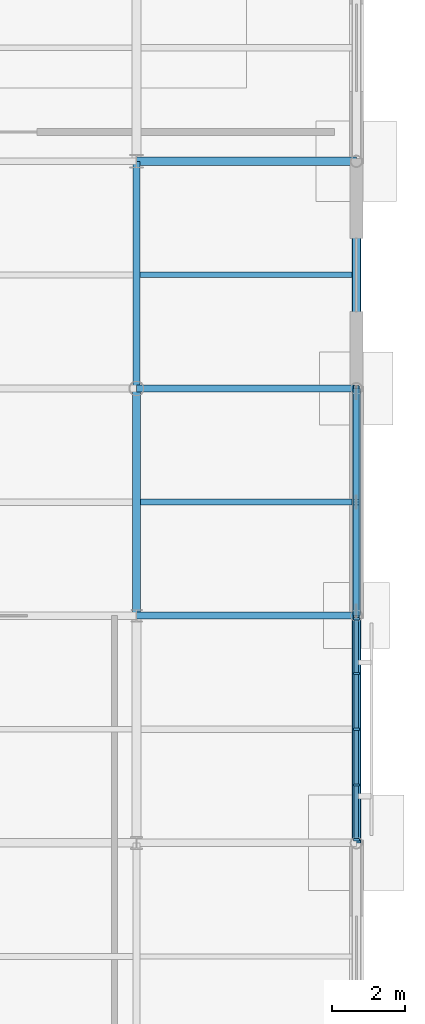
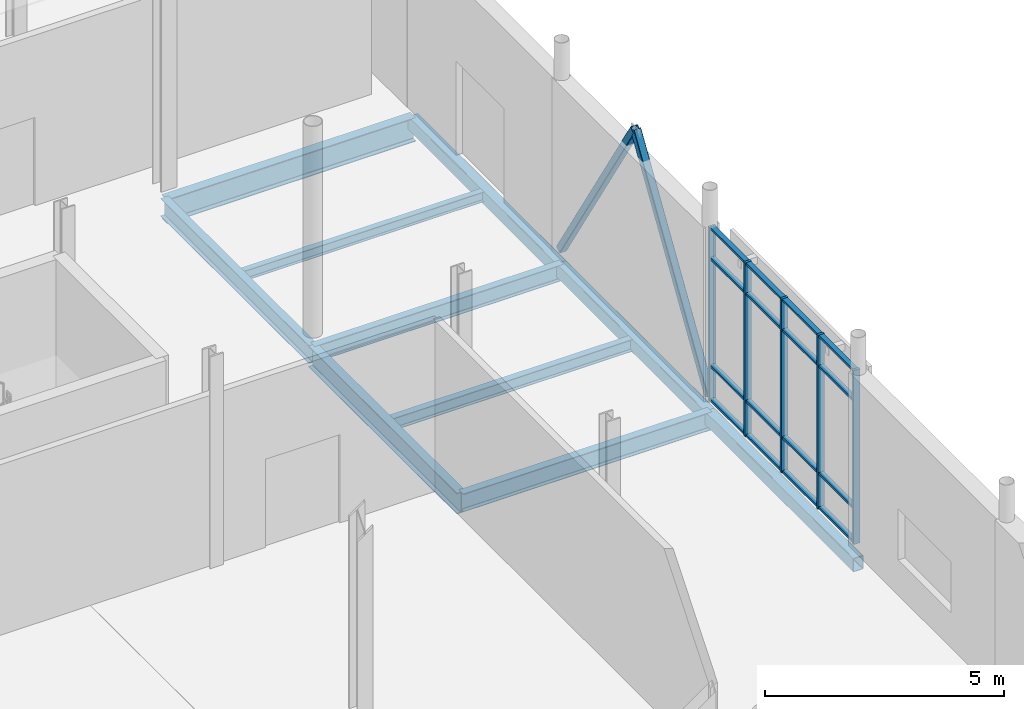
# One storey, part 53 of 98: 23 members, 10 beams, 1 element without a shape of its own.
"""IFC4 building model written with IfcOpenShell, lengths in metres."""

from ifc_helpers import new_model, si_unit, direction, frame, origin, origin_2d, place, context, subcontext, project, spatial, rectangle, hollow_rectangle, i_section, extrude, material, layer, layer_set, material_profile, profile_set, type_object, element, aggregate, save


model = new_model("IFC4")

# Units and contexts
model_context = context("Model", 3, precision=1e-05, world=origin(), true_north=direction((0.0, 1.0)))
body_context = subcontext(model_context, "Body", "Model", "MODEL_VIEW")
ifc_project = project(units=[si_unit("LENGTHUNIT", "METRE"), si_unit("AREAUNIT", "SQUARE_METRE"), si_unit("VOLUMEUNIT", "CUBIC_METRE"), si_unit("PLANEANGLEUNIT", "RADIAN"), si_unit("MASSUNIT", "GRAM", prefix="KILO")], contexts=[model_context])

# Site, building, storey
site_placement = place(None, origin())
site = spatial("IfcSite", under=ifc_project, at=site_placement, CompositionType="ELEMENT")
building_placement = place(site_placement, origin())
building = spatial("IfcBuilding", under=site, at=building_placement, Name="Mirzam Square Science Centre", CompositionType="ELEMENT")
storey_placement = place(building_placement, origin())
storey = spatial("IfcBuildingStorey", under=building, at=storey_placement, Name="L00", CompositionType="ELEMENT", Elevation=0.0)

# Beams
ifc_material_1 = material(Name="Steel S355", Category="steel")
ifc_material_profile_1 = material_profile(ifc_material_1, i_section(OverallWidth=0.1787109375, OverallDepth=0.409423828125, WebThickness=0.0087890625, FlangeThickness=0.014404296875, FilletRadius=0.01025390625, at=origin_2d()), Name="406x178x67UB")
ifc_profile_set_1 = profile_set([ifc_material_profile_1], Name="Steel S355")
beam_type_1 = type_object("IfcBeamType", Name="BM-UB406", PredefinedType="BEAM", material=ifc_profile_set_1)
beam_1_placement = place(storey_placement, frame((156.0, 55.800048828125, -0.504638671875), z_axis=(1.0, 0.0, 0.0), x_axis=(0.0, 1.0, 0.0)))
element("IfcBeam", 1, at=beam_1_placement, inside=storey, type_object=beam_type_1, Name="L00 girder X27-10", PredefinedType="BEAM", context=body_context, shape_type="SweptSolid", body=[
    extrude(i_section(OverallWidth=0.1787109375, OverallDepth=0.409423828125, WebThickness=0.0087890625, FlangeThickness=0.014404296875, FilletRadius=0.01025390625, at=origin_2d()), origin(), (0.0, 0.0, 1.0), 6.0),
])
ifc_material_profile_2 = material_profile(ifc_material_1, i_section(OverallWidth=0.19140625, OverallDepth=0.4599609375, WebThickness=0.010009765625, FlangeThickness=0.01611328125, FilletRadius=0.01025390625, at=origin_2d()), Name="457x191x82UB")
ifc_profile_set_2 = profile_set([ifc_material_profile_2], Name="Steel S355")
beam_type_2 = type_object("IfcBeamType", Name="BM-UB457", PredefinedType="BEAM", material=ifc_profile_set_2)
beam_2_placement = place(storey_placement, frame((156.0, 49.60009765625, -0.530029296875), z_axis=(1.0, 0.0, 0.0), x_axis=(0.0, 1.0, 0.0)))
element("IfcBeam", 2, at=beam_2_placement, inside=storey, type_object=beam_type_2, Name="L00 girder X27-9", PredefinedType="BEAM", context=body_context, shape_type="SweptSolid", body=[
    extrude(i_section(OverallWidth=0.19140625, OverallDepth=0.4599609375, WebThickness=0.010009765625, FlangeThickness=0.01611328125, FilletRadius=0.01025390625, at=origin_2d()), origin(), (0.0, 0.0, 1.0), 6.0),
])
beam_3_placement = place(storey_placement, frame((156.0, 55.800048828125, -0.530029296875), z_axis=(0.0, 1.0, 0.0), x_axis=(-1.0, 0.0, 0.0)))
element("IfcBeam", 3, at=beam_3_placement, inside=storey, type_object=beam_type_2, Name="L00 girder Y27-10", PredefinedType="BEAM", context=body_context, shape_type="SweptSolid", body=[
    extrude(i_section(OverallWidth=0.19140625, OverallDepth=0.4599609375, WebThickness=0.010009765625, FlangeThickness=0.01611328125, FilletRadius=0.01025390625, at=origin_2d()), origin(), (0.0, 0.0, 1.0), 6.199951171875),
])
ifc_material_profile_3 = material_profile(ifc_material_1, i_section(OverallWidth=0.2099609375, OverallDepth=0.53662109375, WebThickness=0.0107421875, FlangeThickness=0.017333984375, FilletRadius=0.0126953125, at=origin_2d()), Name="533x210x101UB")
ifc_profile_set_3 = profile_set([ifc_material_profile_3], Name="Steel S355")
beam_type_3 = type_object("IfcBeamType", Name="BM-UB533", PredefinedType="BEAM", material=ifc_profile_set_3)
beam_4_placement = place(storey_placement, frame((156.0, 49.60009765625, -0.568359375), z_axis=(0.0, 1.0, 0.0), x_axis=(-1.0, 0.0, 0.0)))
element("IfcBeam", 4, at=beam_4_placement, inside=storey, type_object=beam_type_3, Name="L00 girder Y27-9", PredefinedType="BEAM", context=body_context, shape_type="SweptSolid", body=[
    extrude(i_section(OverallWidth=0.2099609375, OverallDepth=0.53662109375, WebThickness=0.0107421875, FlangeThickness=0.017333984375, FilletRadius=0.0126953125, at=origin_2d()), origin(), (0.0, 0.0, 1.0), 6.199951171875),
])
ifc_material_profile_4 = material_profile(ifc_material_1, i_section(OverallWidth=0.22900390625, OverallDepth=0.6123046875, WebThickness=0.011962890625, FlangeThickness=0.01953125, FilletRadius=0.0126953125, at=origin_2d()), Name="610x229x125UB")
ifc_profile_set_4 = profile_set([ifc_material_profile_4], Name="Steel S355")
beam_type_4 = type_object("IfcBeamType", Name="BM-UB610", PredefinedType="BEAM", material=ifc_profile_set_4)
beam_5_placement = place(storey_placement, frame((156.0, 62.0, -0.606201171875), z_axis=(1.0, 0.0, 0.0), x_axis=(0.0, 1.0, 0.0)))
element("IfcBeam", 5, at=beam_5_placement, inside=storey, type_object=beam_type_4, Name="L00 girder X27-11", PredefinedType="BEAM", context=body_context, shape_type="SweptSolid", body=[
    extrude(i_section(OverallWidth=0.22900390625, OverallDepth=0.6123046875, WebThickness=0.011962890625, FlangeThickness=0.01953125, FilletRadius=0.0126953125, at=origin_2d()), origin(), (0.0, 0.0, 1.0), 6.0),
])

# Members
ifc_material_profile_5 = material_profile(ifc_material_1, hollow_rectangle(XDim=0.179931640625, YDim=0.179931640625, WallThickness=0.010009765625, InnerFilletRadius=0.010009765625, OuterFilletRadius=0.02001953125, at=origin_2d()), Name="180x180x10.0SHS")
ifc_profile_set_5 = profile_set([ifc_material_profile_5], Name="Steel S355")
member_type_1 = type_object("IfcMemberType", Name="BR-SHS180", PredefinedType="BRACE", material=ifc_profile_set_5)
member_1_placement = place(storey_placement, frame((162.0, 49.60009765625, 0.050048828125), z_axis=(0.0, 0.532677513074, 0.846318301271), x_axis=(-1.0, 0.0, 0.0)))
element("IfcMember", 6, at=member_1_placement, inside=storey, type_object=member_type_1, Name="L00 chevron brace 4A", PredefinedType="BRACE", context=body_context, shape_type="SweptSolid", body=[
    extrude(hollow_rectangle(XDim=0.179931640625, YDim=0.179931640625, WallThickness=0.010009765625, InnerFilletRadius=0.010009765625, OuterFilletRadius=0.02001953125, at=origin_2d()), origin(), (0.0, 0.0, 1.0), 5.8193359375),
])
member_2_placement = place(storey_placement, frame((162.0, 55.800048828125, 0.050048828125), z_axis=(0.0, -0.532707561114, 0.84629938812), x_axis=(1.0, 0.0, 0.0)))
element("IfcMember", 7, at=member_2_placement, inside=storey, type_object=member_type_1, Name="L00 chevron brace 4B", PredefinedType="BRACE", context=body_context, shape_type="SweptSolid", body=[
    extrude(hollow_rectangle(XDim=0.179931640625, YDim=0.179931640625, WallThickness=0.010009765625, InnerFilletRadius=0.010009765625, OuterFilletRadius=0.02001953125, at=origin_2d()), origin(), (0.0, 0.0, 1.0), 5.819580078125),
])

# Curtain wall, members
ifc_material_2 = material(Name="Anodised Aluminium and Low-E Solar Glass", Category="aluminium")
ifc_layer = layer(ifc_material_2, 0.159912109375)
ifc_layer_set = layer_set([ifc_layer], Name="CW-COURT-B")
curtain_wall_type = type_object("IfcCurtainWallType", Name="CW-COURT-B", PredefinedType="USERDEFINED", material=ifc_layer_set)
curtain_wall_placement = place(storey_placement, origin())
curtain_wall = element("IfcCurtainWall", 8, at=curtain_wall_placement, inside=storey, type_object=curtain_wall_type, Name="L00 unitised curtain wall 67", ObjectType="UNITISED CURTAIN WALL", PredefinedType="USERDEFINED")
ifc_material_3 = material(Name="Anodised Architectural Aluminium 6063-T6", Category="aluminium")
ifc_material_profile_6 = material_profile(ifc_material_3, rectangle(XDim=0.06005859375, YDim=0.159912109375, at=origin_2d()), Name="ALU-MULL-160x60x4")
ifc_profile_set_6 = profile_set([ifc_material_profile_6], Name="Anodised Architectural Aluminium 6063-T6")
member_type_2 = type_object("IfcMemberType", Name="CWM-160", PredefinedType="MULLION", material=ifc_profile_set_6)
member_3_placement = place(storey_placement, frame((162.0, 43.485107421875, 0.0), z_axis=(0.0, 0.0, 1.0), x_axis=(0.0, 1.0, 0.0)))
member_3 = element("IfcMember", 9, at=member_3_placement, type_object=member_type_2, Name="CW-04 mullion 1", PredefinedType="MULLION", context=body_context, shape_type="SweptSolid", body=[
    extrude(rectangle(XDim=0.06005859375, YDim=0.159912109375, at=origin_2d()), origin(), (0.0, 0.0, 1.0), 4.43994140625),
])
member_4_placement = place(storey_placement, frame((162.0, 44.9775390625, 0.0), z_axis=(0.0, 0.0, 1.0), x_axis=(0.0, 1.0, 0.0)))
member_4 = element("IfcMember", 10, at=member_4_placement, type_object=member_type_2, Name="CW-04 mullion 2", PredefinedType="MULLION", context=body_context, shape_type="SweptSolid", body=[
    extrude(rectangle(XDim=0.06005859375, YDim=0.159912109375, at=origin_2d()), origin(), (0.0, 0.0, 1.0), 4.43994140625),
])
member_5_placement = place(storey_placement, frame((162.0, 46.5, 0.0), z_axis=(0.0, 0.0, 1.0), x_axis=(0.0, 1.0, 0.0)))
member_5 = element("IfcMember", 11, at=member_5_placement, type_object=member_type_2, Name="CW-04 mullion 3", PredefinedType="MULLION", context=body_context, shape_type="SweptSolid", body=[
    extrude(rectangle(XDim=0.06005859375, YDim=0.159912109375, at=origin_2d()), origin(), (0.0, 0.0, 1.0), 4.43994140625),
])
member_6_placement = place(storey_placement, frame((162.0, 48.0224609375, 0.0), z_axis=(0.0, 0.0, 1.0), x_axis=(0.0, 1.0, 0.0)))
member_6 = element("IfcMember", 12, at=member_6_placement, type_object=member_type_2, Name="CW-04 mullion 4", PredefinedType="MULLION", context=body_context, shape_type="SweptSolid", body=[
    extrude(rectangle(XDim=0.06005859375, YDim=0.159912109375, at=origin_2d()), origin(), (0.0, 0.0, 1.0), 4.43994140625),
])
member_7_placement = place(storey_placement, frame((162.0, 49.514892578125, 0.0), z_axis=(0.0, 0.0, 1.0), x_axis=(0.0, 1.0, 0.0)))
member_7 = element("IfcMember", 13, at=member_7_placement, type_object=member_type_2, Name="CW-04 mullion 5", PredefinedType="MULLION", context=body_context, shape_type="SweptSolid", body=[
    extrude(rectangle(XDim=0.06005859375, YDim=0.159912109375, at=origin_2d()), origin(), (0.0, 0.0, 1.0), 4.43994140625),
])
ifc_material_profile_7 = material_profile(ifc_material_3, rectangle(XDim=0.1201171875, YDim=0.06005859375, at=origin_2d()), Name="ALU-TRAN-120x60x4")
ifc_profile_set_7 = profile_set([ifc_material_profile_7], Name="Anodised Architectural Aluminium 6063-T6")
member_type_3 = type_object("IfcMemberType", Name="CWT-120", PredefinedType="USERDEFINED", material=ifc_profile_set_7)
member_8_placement = place(storey_placement, frame((162.0, 43.514892578125, 0.030029296875), z_axis=(0.0, 1.0, 0.0), x_axis=(-1.0, 0.0, 0.0)))
member_8 = element("IfcMember", 14, at=member_8_placement, type_object=member_type_3, Name="CW-04 transom 1.1", ObjectType="TRANSOM", PredefinedType="USERDEFINED", context=body_context, shape_type="SweptSolid", body=[
    extrude(rectangle(XDim=0.1201171875, YDim=0.06005859375, at=origin_2d()), origin(), (0.0, 0.0, 1.0), 1.4326171875),
])
member_9_placement = place(storey_placement, frame((162.0, 43.514892578125, 0.89990234375), z_axis=(0.0, 1.0, 0.0), x_axis=(-1.0, 0.0, 0.0)))
member_9 = element("IfcMember", 15, at=member_9_placement, type_object=member_type_3, Name="CW-04 transom 1.2", ObjectType="TRANSOM", PredefinedType="USERDEFINED", context=body_context, shape_type="SweptSolid", body=[
    extrude(rectangle(XDim=0.1201171875, YDim=0.06005859375, at=origin_2d()), origin(), (0.0, 0.0, 1.0), 1.4326171875),
])
member_10_placement = place(storey_placement, frame((162.0, 43.514892578125, 3.639892578125), z_axis=(0.0, 1.0, 0.0), x_axis=(-1.0, 0.0, 0.0)))
member_10 = element("IfcMember", 16, at=member_10_placement, type_object=member_type_3, Name="CW-04 transom 1.3", ObjectType="TRANSOM", PredefinedType="USERDEFINED", context=body_context, shape_type="SweptSolid", body=[
    extrude(rectangle(XDim=0.1201171875, YDim=0.06005859375, at=origin_2d()), origin(), (0.0, 0.0, 1.0), 1.4326171875),
])
member_11_placement = place(storey_placement, frame((162.0, 43.514892578125, 4.409912109375), z_axis=(0.0, 1.0, 0.0), x_axis=(-1.0, 0.0, 0.0)))
member_11 = element("IfcMember", 17, at=member_11_placement, type_object=member_type_3, Name="CW-04 transom 1.4", ObjectType="TRANSOM", PredefinedType="USERDEFINED", context=body_context, shape_type="SweptSolid", body=[
    extrude(rectangle(XDim=0.1201171875, YDim=0.06005859375, at=origin_2d()), origin(), (0.0, 0.0, 1.0), 1.4326171875),
])
member_12_placement = place(storey_placement, frame((162.0, 45.007568359375, 0.030029296875), z_axis=(0.0, 1.0, 0.0), x_axis=(-1.0, 0.0, 0.0)))
member_12 = element("IfcMember", 18, at=member_12_placement, type_object=member_type_3, Name="CW-04 transom 2.1", ObjectType="TRANSOM", PredefinedType="USERDEFINED", context=body_context, shape_type="SweptSolid", body=[
    extrude(rectangle(XDim=0.1201171875, YDim=0.06005859375, at=origin_2d()), origin(), (0.0, 0.0, 1.0), 1.46240234375),
])
member_13_placement = place(storey_placement, frame((162.0, 45.007568359375, 0.89990234375), z_axis=(0.0, 1.0, 0.0), x_axis=(-1.0, 0.0, 0.0)))
member_13 = element("IfcMember", 19, at=member_13_placement, type_object=member_type_3, Name="CW-04 transom 2.2", ObjectType="TRANSOM", PredefinedType="USERDEFINED", context=body_context, shape_type="SweptSolid", body=[
    extrude(rectangle(XDim=0.1201171875, YDim=0.06005859375, at=origin_2d()), origin(), (0.0, 0.0, 1.0), 1.46240234375),
])
member_14_placement = place(storey_placement, frame((162.0, 45.007568359375, 3.639892578125), z_axis=(0.0, 1.0, 0.0), x_axis=(-1.0, 0.0, 0.0)))
member_14 = element("IfcMember", 20, at=member_14_placement, type_object=member_type_3, Name="CW-04 transom 2.3", ObjectType="TRANSOM", PredefinedType="USERDEFINED", context=body_context, shape_type="SweptSolid", body=[
    extrude(rectangle(XDim=0.1201171875, YDim=0.06005859375, at=origin_2d()), origin(), (0.0, 0.0, 1.0), 1.46240234375),
])
member_15_placement = place(storey_placement, frame((162.0, 45.007568359375, 4.409912109375), z_axis=(0.0, 1.0, 0.0), x_axis=(-1.0, 0.0, 0.0)))
member_15 = element("IfcMember", 21, at=member_15_placement, type_object=member_type_3, Name="CW-04 transom 2.4", ObjectType="TRANSOM", PredefinedType="USERDEFINED", context=body_context, shape_type="SweptSolid", body=[
    extrude(rectangle(XDim=0.1201171875, YDim=0.06005859375, at=origin_2d()), origin(), (0.0, 0.0, 1.0), 1.46240234375),
])
member_16_placement = place(storey_placement, frame((162.0, 46.530029296875, 0.030029296875), z_axis=(0.0, 1.0, 0.0), x_axis=(-1.0, 0.0, 0.0)))
member_16 = element("IfcMember", 22, at=member_16_placement, type_object=member_type_3, Name="CW-04 transom 3.1", ObjectType="TRANSOM", PredefinedType="USERDEFINED", context=body_context, shape_type="SweptSolid", body=[
    extrude(rectangle(XDim=0.1201171875, YDim=0.06005859375, at=origin_2d()), origin(), (0.0, 0.0, 1.0), 1.46240234375),
])
member_17_placement = place(storey_placement, frame((162.0, 46.530029296875, 0.89990234375), z_axis=(0.0, 1.0, 0.0), x_axis=(-1.0, 0.0, 0.0)))
member_17 = element("IfcMember", 23, at=member_17_placement, type_object=member_type_3, Name="CW-04 transom 3.2", ObjectType="TRANSOM", PredefinedType="USERDEFINED", context=body_context, shape_type="SweptSolid", body=[
    extrude(rectangle(XDim=0.1201171875, YDim=0.06005859375, at=origin_2d()), origin(), (0.0, 0.0, 1.0), 1.46240234375),
])
member_18_placement = place(storey_placement, frame((162.0, 46.530029296875, 3.639892578125), z_axis=(0.0, 1.0, 0.0), x_axis=(-1.0, 0.0, 0.0)))
member_18 = element("IfcMember", 24, at=member_18_placement, type_object=member_type_3, Name="CW-04 transom 3.3", ObjectType="TRANSOM", PredefinedType="USERDEFINED", context=body_context, shape_type="SweptSolid", body=[
    extrude(rectangle(XDim=0.1201171875, YDim=0.06005859375, at=origin_2d()), origin(), (0.0, 0.0, 1.0), 1.46240234375),
])
member_19_placement = place(storey_placement, frame((162.0, 46.530029296875, 4.409912109375), z_axis=(0.0, 1.0, 0.0), x_axis=(-1.0, 0.0, 0.0)))
member_19 = element("IfcMember", 25, at=member_19_placement, type_object=member_type_3, Name="CW-04 transom 3.4", ObjectType="TRANSOM", PredefinedType="USERDEFINED", context=body_context, shape_type="SweptSolid", body=[
    extrude(rectangle(XDim=0.1201171875, YDim=0.06005859375, at=origin_2d()), origin(), (0.0, 0.0, 1.0), 1.46240234375),
])
member_20_placement = place(storey_placement, frame((162.0, 48.052490234375, 0.030029296875), z_axis=(0.0, 1.0, 0.0), x_axis=(-1.0, 0.0, 0.0)))
member_20 = element("IfcMember", 26, at=member_20_placement, type_object=member_type_3, Name="CW-04 transom 4.1", ObjectType="TRANSOM", PredefinedType="USERDEFINED", context=body_context, shape_type="SweptSolid", body=[
    extrude(rectangle(XDim=0.1201171875, YDim=0.06005859375, at=origin_2d()), origin(), (0.0, 0.0, 1.0), 1.4326171875),
])
member_21_placement = place(storey_placement, frame((162.0, 48.052490234375, 0.89990234375), z_axis=(0.0, 1.0, 0.0), x_axis=(-1.0, 0.0, 0.0)))
member_21 = element("IfcMember", 27, at=member_21_placement, type_object=member_type_3, Name="CW-04 transom 4.2", ObjectType="TRANSOM", PredefinedType="USERDEFINED", context=body_context, shape_type="SweptSolid", body=[
    extrude(rectangle(XDim=0.1201171875, YDim=0.06005859375, at=origin_2d()), origin(), (0.0, 0.0, 1.0), 1.4326171875),
])
member_22_placement = place(storey_placement, frame((162.0, 48.052490234375, 3.639892578125), z_axis=(0.0, 1.0, 0.0), x_axis=(-1.0, 0.0, 0.0)))
member_22 = element("IfcMember", 28, at=member_22_placement, type_object=member_type_3, Name="CW-04 transom 4.3", ObjectType="TRANSOM", PredefinedType="USERDEFINED", context=body_context, shape_type="SweptSolid", body=[
    extrude(rectangle(XDim=0.1201171875, YDim=0.06005859375, at=origin_2d()), origin(), (0.0, 0.0, 1.0), 1.4326171875),
])
member_23_placement = place(storey_placement, frame((162.0, 48.052490234375, 4.409912109375), z_axis=(0.0, 1.0, 0.0), x_axis=(-1.0, 0.0, 0.0)))
member_23 = element("IfcMember", 29, at=member_23_placement, type_object=member_type_3, Name="CW-04 transom 4.4", ObjectType="TRANSOM", PredefinedType="USERDEFINED", context=body_context, shape_type="SweptSolid", body=[
    extrude(rectangle(XDim=0.1201171875, YDim=0.06005859375, at=origin_2d()), origin(), (0.0, 0.0, 1.0), 1.4326171875),
])
aggregate(curtain_wall, [member_3, member_4, member_5, member_6, member_7, member_8, member_9, member_10, member_11, member_12, member_13, member_14, member_15, member_16, member_17, member_18, member_19, member_20, member_21, member_22, member_23])

# Beams
ifc_material_profile_8 = material_profile(ifc_material_1, i_section(OverallWidth=0.146484375, OverallDepth=0.256103515625, WebThickness=0.00634765625, FlangeThickness=0.010986328125, FilletRadius=0.007568359375, at=origin_2d()), Name="254x146x37UB")
ifc_profile_set_8 = profile_set([ifc_material_profile_8], Name="Steel S355")
beam_type_5 = type_object("IfcBeamType", Name="JS-UB254", PredefinedType="JOIST", material=ifc_profile_set_8)
beam_6_placement = place(storey_placement, frame((156.095703125, 58.89990234375, -0.427978515625), z_axis=(1.0, 0.0, 0.0), x_axis=(0.0, 1.0, 0.0)))
element("IfcBeam", 30, at=beam_6_placement, inside=storey, type_object=beam_type_5, Name="L00 composite joist 27-10", PredefinedType="JOIST", context=body_context, shape_type="SweptSolid", body=[
    extrude(i_section(OverallWidth=0.146484375, OverallDepth=0.256103515625, WebThickness=0.00634765625, FlangeThickness=0.010986328125, FilletRadius=0.007568359375, at=origin_2d()), origin(), (0.0, 0.0, 1.0), 5.779296875),
])
ifc_material_profile_9 = material_profile(ifc_material_1, i_section(OverallWidth=0.165771484375, OverallDepth=0.306640625, WebThickness=0.006591796875, FlangeThickness=0.01171875, FilletRadius=0.0087890625, at=origin_2d()), Name="305x165x46UB")
ifc_profile_set_9 = profile_set([ifc_material_profile_9], Name="Steel S355")
beam_type_6 = type_object("IfcBeamType", Name="JS-UB305", PredefinedType="JOIST", material=ifc_profile_set_9)
beam_7_placement = place(storey_placement, frame((156.10498046875, 52.699951171875, -0.453369140625), z_axis=(1.0, 0.0, 0.0), x_axis=(0.0, 1.0, 0.0)))
element("IfcBeam", 31, at=beam_7_placement, inside=storey, type_object=beam_type_6, Name="L00 composite joist 27-9", PredefinedType="JOIST", context=body_context, shape_type="SweptSolid", body=[
    extrude(i_section(OverallWidth=0.165771484375, OverallDepth=0.306640625, WebThickness=0.006591796875, FlangeThickness=0.01171875, FilletRadius=0.0087890625, at=origin_2d()), origin(), (0.0, 0.0, 1.0), 5.77001953125),
])
ifc_material_profile_10 = material_profile(ifc_material_1, hollow_rectangle(XDim=0.25, YDim=0.35009765625, WallThickness=0.012451171875, InnerFilletRadius=0.012451171875, OuterFilletRadius=0.02490234375, at=origin_2d()), Name="350x250x12.5RHS")
ifc_profile_set_10 = profile_set([ifc_material_profile_10], Name="Steel S355")
beam_type_7 = type_object("IfcBeamType", Name="SP-RHS350", PredefinedType="SPANDREL", material=ifc_profile_set_10)
beam_8_placement = place(storey_placement, frame((162.0, 43.39990234375, -0.47509765625), z_axis=(0.0, 1.0, 0.0), x_axis=(-1.0, 0.0, 0.0)))
element("IfcBeam", 32, at=beam_8_placement, inside=storey, type_object=beam_type_7, Name="L00 girder Y28-8", PredefinedType="SPANDREL", context=body_context, shape_type="SweptSolid", body=[
    extrude(hollow_rectangle(XDim=0.25, YDim=0.35009765625, WallThickness=0.012451171875, InnerFilletRadius=0.012451171875, OuterFilletRadius=0.02490234375, at=origin_2d()), origin(), (0.0, 0.0, 1.0), 6.2001953125),
])
for number, where, z_axis, x_axis, name in (
    (33, (162.0, 49.60009765625, -0.47509765625), (0.0, 1.0, 0.0), (-1.0, 0.0, 0.0), "L00 girder Y28-9"),
    (34, (162.0, 55.800048828125, -0.47509765625), (0.0, 1.0, 0.0), (-1.0, 0.0, 0.0), "L00 girder Y28-10"),
):
    element("IfcBeam", number, at=place(storey_placement, frame(where, z_axis=z_axis, x_axis=x_axis)), inside=storey, type_object=beam_type_7, Name=name, PredefinedType="SPANDREL", context=body_context, shape_type="SweptSolid", body=[
        extrude(hollow_rectangle(XDim=0.25, YDim=0.35009765625, WallThickness=0.012451171875, InnerFilletRadius=0.012451171875, OuterFilletRadius=0.02490234375, at=origin_2d()), origin(), (0.0, 0.0, 1.0), 6.199951171875),
    ])

save(model, "model.ifc")
